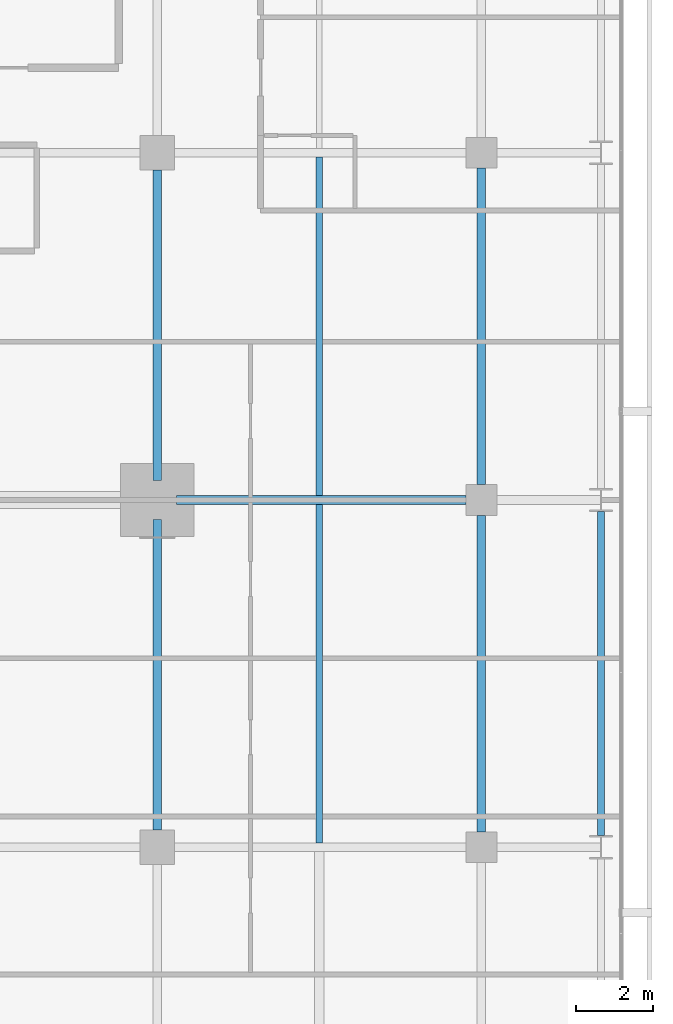
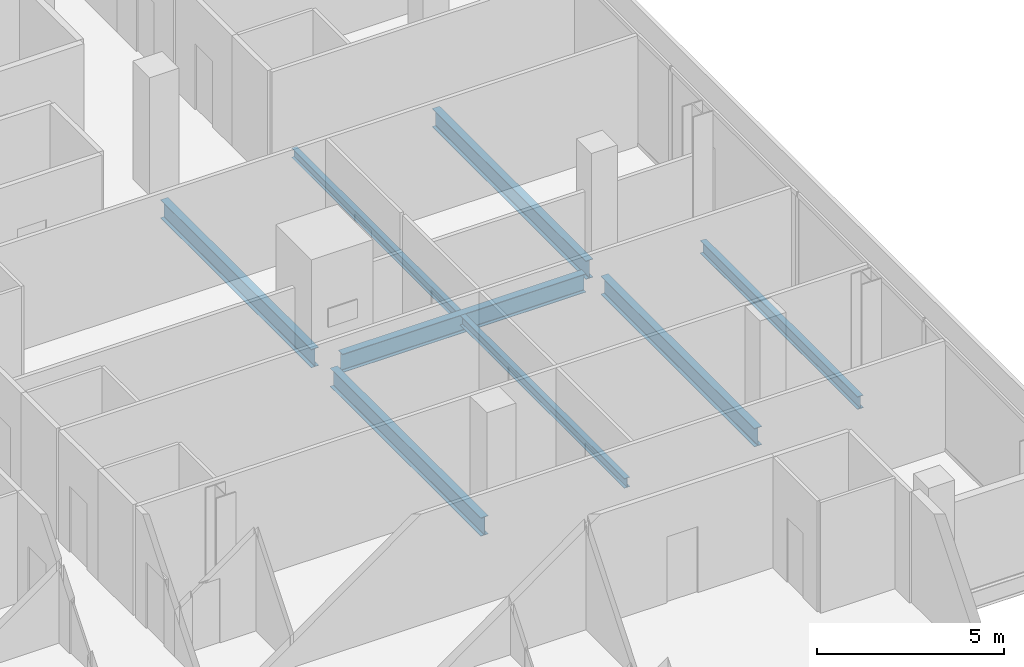
# One storey, part 16 of 34: 8 beams.
"""IFC4 building model written with IfcOpenShell, lengths in metres."""

from ifc_helpers import new_model, si_unit, direction, frame, origin, origin_2d, place, context, subcontext, project, spatial, i_section, extrude, material, material_profile, profile_set, type_object, element, save


model = new_model("IFC4")

# Units and contexts
model_context = context("Model", 3, precision=1e-05, world=origin(), true_north=direction((0.0, 1.0)))
body_context = subcontext(model_context, "Body", "Model", "MODEL_VIEW")
ifc_project = project(units=[si_unit("LENGTHUNIT", "METRE"), si_unit("AREAUNIT", "SQUARE_METRE"), si_unit("VOLUMEUNIT", "CUBIC_METRE"), si_unit("PLANEANGLEUNIT", "RADIAN"), si_unit("MASSUNIT", "GRAM", prefix="KILO")], contexts=[model_context])

# Site, building, storey
site_placement = place(None, origin())
site = spatial("IfcSite", under=ifc_project, at=site_placement, CompositionType="ELEMENT")
building_placement = place(site_placement, origin())
building = spatial("IfcBuilding", under=site, at=building_placement, Name="Maruvema Waterfront Hotel and Observation Tower", CompositionType="ELEMENT")
storey_placement = place(building_placement, frame((0.0, 0.0, 173.60009765625)))
storey = spatial("IfcBuildingStorey", under=building, at=storey_placement, Name="L42", CompositionType="ELEMENT", Elevation=173.60009765625)

# Beams
ifc_material_1 = material(Name="Steel ASTM A572 Grade 50", Category="steel")
ifc_material_profile_1 = material_profile(ifc_material_1, i_section(OverallWidth=0.180908203125, OverallDepth=0.4169921875, WebThickness=0.010986328125, FlangeThickness=0.018310546875, FilletRadius=0.014892578125, at=origin_2d()), Name="W410x85.0")
ifc_profile_set_1 = profile_set([ifc_material_profile_1], Name="Steel ASTM A572 Grade 50")
beam_type_1 = type_object("IfcBeamType", Name="Perimeter Spandrel Beam W410x85.0", PredefinedType="SPANDREL", material=ifc_profile_set_1)
beam_1_placement = place(storey_placement, frame((61.89990234375, 18.300048828125, -0.448486328125), z_axis=(0.0, 1.0, 0.0), x_axis=(-1.0, 0.0, 0.0)))
element("IfcBeam", 1, at=beam_1_placement, inside=storey, type_object=beam_type_1, Name="L42 Floor Girder NS-30", PredefinedType="SPANDREL", context=body_context, shape_type="SweptSolid", body=[
    extrude(i_section(OverallWidth=0.180908203125, OverallDepth=0.4169921875, WebThickness=0.010986328125, FlangeThickness=0.018310546875, FilletRadius=0.014892578125, at=origin_2d()), origin(), (0.0, 0.0, 1.0), 8.39990234375),
])
ifc_material_2 = material(Name="Steel ASTM A572 Grade 50", Category="steel")
ifc_material_profile_2 = material_profile(ifc_material_2, i_section(OverallWidth=0.22802734375, OverallDepth=0.60302734375, WebThickness=0.010498046875, FlangeThickness=0.014892578125, FilletRadius=0.01806640625, at=origin_2d()), Name="W610x101.0")
ifc_profile_set_2 = profile_set([ifc_material_profile_2], Name="Steel ASTM A572 Grade 50")
beam_type_2 = type_object("IfcBeamType", Name="Primary Floor Girder W610x101.0", PredefinedType="BEAM", material=ifc_profile_set_2)
beam_2_placement = place(storey_placement, frame((50.89990234375, 27.0, -0.54150390625), z_axis=(1.0, 0.0, 0.0), x_axis=(0.0, 1.0, 0.0)))
element("IfcBeam", 2, at=beam_2_placement, inside=storey, type_object=beam_type_2, Name="L42 Floor Girder EW-21", PredefinedType="BEAM", context=body_context, shape_type="SweptSolid", body=[
    extrude(i_section(OverallWidth=0.22802734375, OverallDepth=0.60302734375, WebThickness=0.010498046875, FlangeThickness=0.014892578125, FilletRadius=0.01806640625, at=origin_2d()), origin(), (0.0, 0.0, 1.0), 7.5),
])
for number, where, z_axis, x_axis, name in (
    (3, (50.39990234375, 18.449951171875, -0.54150390625), (0.0, 1.0, 0.0), (-1.0, 0.0, 0.0), "L42 Floor Girder NS-22"),
    (4, (50.39990234375, 27.5, -0.54150390625), (0.0, 1.0, 0.0), (-1.0, 0.0, 0.0), "L42 Floor Girder NS-23"),
):
    element("IfcBeam", number, at=place(storey_placement, frame(where, z_axis=z_axis, x_axis=x_axis)), inside=storey, type_object=beam_type_2, Name=name, PredefinedType="BEAM", context=body_context, shape_type="SweptSolid", body=[
        extrude(i_section(OverallWidth=0.22802734375, OverallDepth=0.60302734375, WebThickness=0.010498046875, FlangeThickness=0.014892578125, FilletRadius=0.01806640625, at=origin_2d()), origin(), (0.0, 0.0, 1.0), 8.050048828125),
    ])
for number, where, z_axis, x_axis, name in (
    (5, (58.800048828125, 18.39990234375, -0.54150390625), (0.0, 1.0, 0.0), (-1.0, 0.0, 0.0), "L42 Floor Girder NS-26"),
    (6, (58.800048828125, 27.39990234375, -0.54150390625), (0.0, 1.0, 0.0), (-1.0, 0.0, 0.0), "L42 Floor Girder NS-27"),
):
    element("IfcBeam", number, at=place(storey_placement, frame(where, z_axis=z_axis, x_axis=x_axis)), inside=storey, type_object=beam_type_2, Name=name, PredefinedType="BEAM", context=body_context, shape_type="SweptSolid", body=[
        extrude(i_section(OverallWidth=0.22802734375, OverallDepth=0.60302734375, WebThickness=0.010498046875, FlangeThickness=0.014892578125, FilletRadius=0.01806640625, at=origin_2d()), origin(), (0.0, 0.0, 1.0), 8.2001953125),
    ])
ifc_material_3 = material(Name="Steel ASTM A572 Grade 50", Category="steel")
ifc_material_profile_3 = material_profile(ifc_material_3, i_section(OverallWidth=0.1650390625, OverallDepth=0.31005859375, WebThickness=0.005859375, FlangeThickness=0.009765625, FilletRadius=0.012939453125, at=origin_2d()), Name="W310x38.7")
ifc_profile_set_3 = profile_set([ifc_material_profile_3], Name="Steel ASTM A572 Grade 50")
beam_type_3 = type_object("IfcBeamType", Name="Secondary Floor Joist W310x38.7", PredefinedType="JOIST", material=ifc_profile_set_3)
beam_3_placement = place(storey_placement, frame((54.60009765625, 27.114013671875, -0.39501953125), z_axis=(0.0, 1.0, 0.0), x_axis=(-1.0, 0.0, 0.0)))
element("IfcBeam", 7, at=beam_3_placement, inside=storey, type_object=beam_type_3, Name="L42 Secondary Floor Joist JS-13", PredefinedType="JOIST", context=body_context, shape_type="SweptSolid", body=[
    extrude(i_section(OverallWidth=0.1650390625, OverallDepth=0.31005859375, WebThickness=0.005859375, FlangeThickness=0.009765625, FilletRadius=0.012939453125, at=origin_2d()), origin(), (0.0, 0.0, 1.0), 8.77197265625),
])
ifc_material_4 = material(Name="Steel ASTM A572 Grade 50", Category="steel")
ifc_material_profile_4 = material_profile(ifc_material_4, i_section(OverallWidth=0.1669921875, OverallDepth=0.31689453125, WebThickness=0.007568359375, FlangeThickness=0.01318359375, FilletRadius=0.012939453125, at=origin_2d()), Name="W310x52.0")
ifc_profile_set_4 = profile_set([ifc_material_profile_4], Name="Steel ASTM A572 Grade 50")
beam_type_4 = type_object("IfcBeamType", Name="Secondary Floor Joist W310x52.0", PredefinedType="JOIST", material=ifc_profile_set_4)
beam_4_placement = place(storey_placement, frame((54.60009765625, 18.114013671875, -0.398681640625), z_axis=(0.0, 1.0, 0.0), x_axis=(-1.0, 0.0, 0.0)))
element("IfcBeam", 8, at=beam_4_placement, inside=storey, type_object=beam_type_4, Name="L42 Secondary Floor Joist JS-12", PredefinedType="JOIST", context=body_context, shape_type="SweptSolid", body=[
    extrude(i_section(OverallWidth=0.1669921875, OverallDepth=0.31689453125, WebThickness=0.007568359375, FlangeThickness=0.01318359375, FilletRadius=0.012939453125, at=origin_2d()), origin(), (0.0, 0.0, 1.0), 8.77197265625),
])

save(model, "model.ifc")
